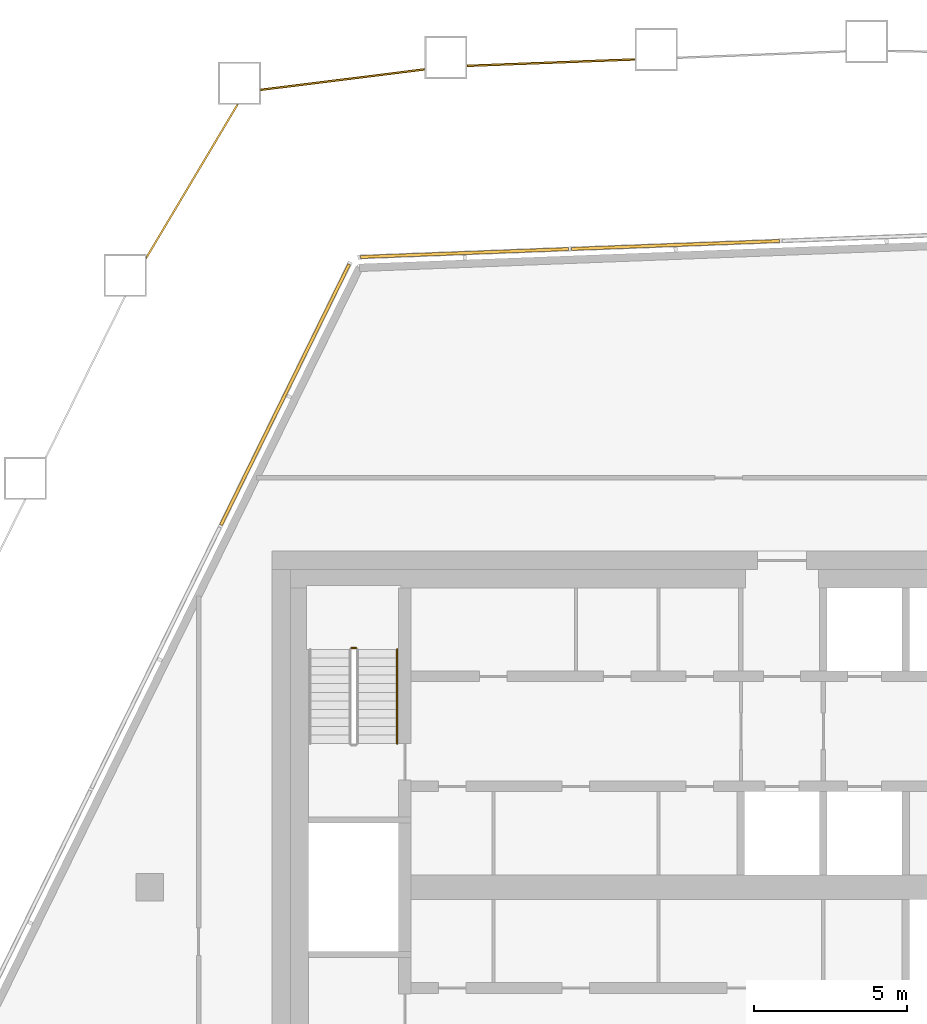
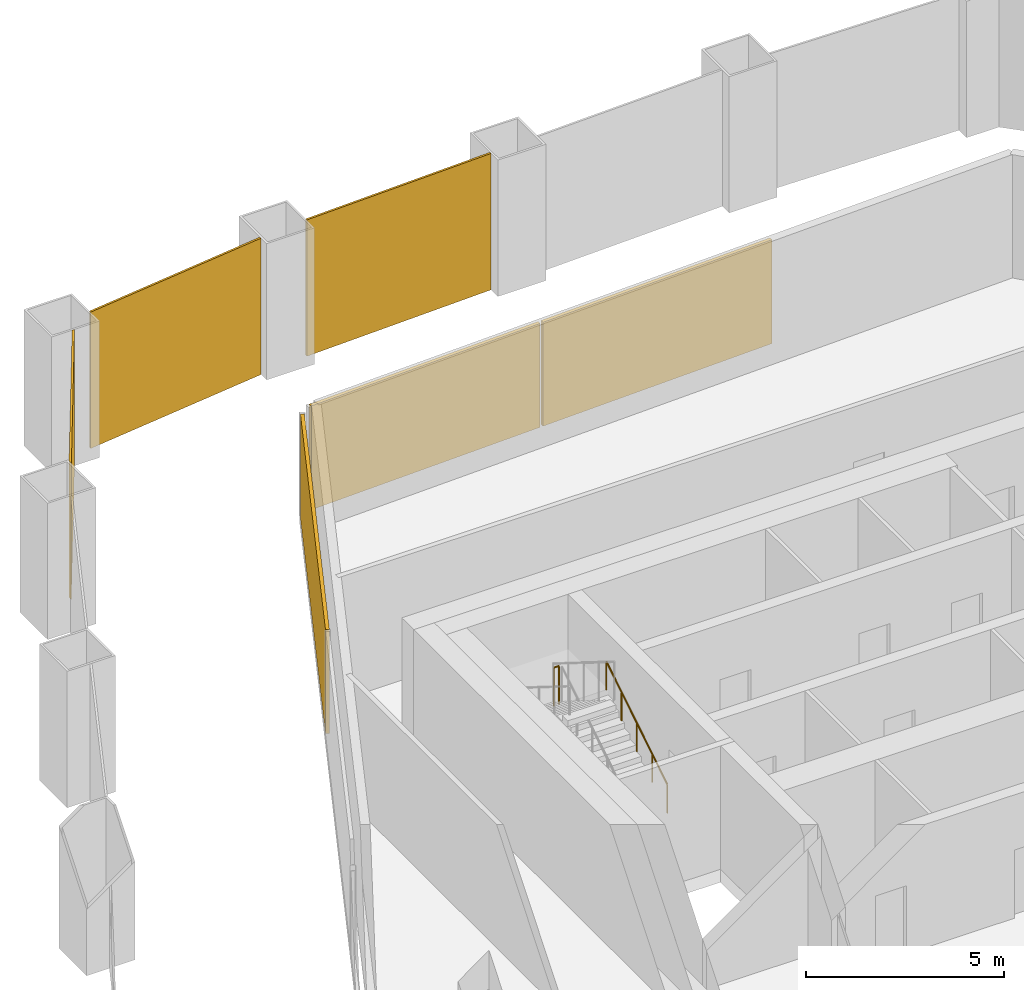
# One storey, part 16 of 18: 6 coverings, 2 railings, 2 elements without a shape of their own.
"""IFC4 building model written with IfcOpenShell, lengths in metres."""

from ifc_helpers import new_model, si_unit, direction, frame, origin, origin_2d, place, context, subcontext, project, spatial, polyline, rectangle, circle, outline, extrude, material, layer, layer_set, type_object, element, aggregate, save


model = new_model("IFC4")

# Units and contexts
model_context = context("Model", 3, precision=1e-05, world=origin(), true_north=direction((0.0, 1.0)))
body_context = subcontext(model_context, "Body", "Model", "MODEL_VIEW")
ifc_project = project(units=[si_unit("LENGTHUNIT", "METRE"), si_unit("AREAUNIT", "SQUARE_METRE"), si_unit("VOLUMEUNIT", "CUBIC_METRE"), si_unit("PLANEANGLEUNIT", "RADIAN"), si_unit("MASSUNIT", "GRAM", prefix="KILO")], contexts=[model_context])

# Site, building, storey
site_placement = place(None, origin())
site = spatial("IfcSite", under=ifc_project, at=site_placement, CompositionType="ELEMENT")
building_placement = place(site_placement, origin())
building = spatial("IfcBuilding", under=site, at=building_placement, Name="Dongbaek Canopy Tower", CompositionType="ELEMENT")
storey_placement = place(building_placement, frame((0.0, 0.0, 367.39990234375)))
storey = spatial("IfcBuildingStorey", under=building, at=storey_placement, Name="L79", CompositionType="ELEMENT", Elevation=367.39990234375)

# Coverings
ifc_material_1 = material(Name="Perforated pale metal")
ifc_layer_1 = layer(ifc_material_1, 0.06005859375)
ifc_layer_set_1 = layer_set([ifc_layer_1], Name="Crown plant screen")
covering_type_1 = type_object("IfcCoveringType", Name="Crown plant screen", PredefinedType="CLADDING", material=ifc_layer_set_1)
covering_1_placement = place(storey_placement, origin())
element("IfcCovering", 1, at=covering_1_placement, inside=storey, type_object=covering_type_1, Name="Crown plant screen 20 L79", PredefinedType="CLADDING", context=body_context, shape_type="SweptSolid", body=[
    extrude(outline(polyline([(-2.117919921875, 27.131103515625), (-2.117919921875, 27.07080078125), (-7.60888671875, 26.860595703125), (-7.60888671875, 26.920654296875), (-2.117919921875, 27.131103515625)])), origin(), (0.0, 0.0, 1.0), 4.2001953125),
])
covering_2_placement = place(storey_placement, origin())
element("IfcCovering", 2, at=covering_2_placement, inside=storey, type_object=covering_type_1, Name="Crown plant screen 21 L79", PredefinedType="CLADDING", context=body_context, shape_type="SweptSolid", body=[
    extrude(outline(polyline([(-9.009033203125, 26.804443359375), (-9.009033203125, 26.744140625), (-14.362060546875, 26.07568359375), (-14.362060546875, 26.13623046875), (-9.009033203125, 26.804443359375)])), origin(), (0.0, 0.0, 1.0), 4.2001953125),
])
covering_3_placement = place(storey_placement, origin())
element("IfcCovering", 3, at=covering_3_placement, inside=storey, type_object=covering_type_1, Name="Crown plant screen 22 L79", PredefinedType="CLADDING", context=body_context, shape_type="SweptSolid", body=[
    extrude(outline(polyline([(-15.16455078125, 25.62109375), (-15.0947265625, 25.62109375), (-18.10595703125, 20.562744140625), (-18.10595703125, 20.679931640625), (-15.16455078125, 25.62109375)])), origin(), (0.0, 0.0, 1.0), 4.2001953125),
])

# Curtain wall, coverings
ifc_material_2 = material(Name="Aluminium 6063-T6 pale anodised", Category="aluminium")
ifc_layer_2 = layer(ifc_material_2, 0.14990234375)
ifc_layer_set_2 = layer_set([ifc_layer_2], Name="CW-7 louvre curtain wall")
curtain_wall_type = type_object("IfcCurtainWallType", Name="CW-7 louvre curtain wall", PredefinedType="NOTDEFINED", material=ifc_layer_set_2)
curtain_wall_1_placement = place(storey_placement, origin())
curtain_wall_1 = element("IfcCurtainWall", 4, at=curtain_wall_1_placement, inside=storey, type_object=curtain_wall_type, Name="CW-7 louvre wall L79 F3", PredefinedType="NOTDEFINED")
ifc_material_3 = material(Name="Aluminium 6063-T6 pale metal louvre blades", Category="aluminium")
ifc_layer_3 = layer(ifc_material_3, 0.10009765625)
ifc_layer_set_3 = layer_set([ifc_layer_3], Name="Louvre LV bank 100 x 3200")
covering_type_2 = type_object("IfcCoveringType", Name="Louvre LV bank 100 x 3200", PredefinedType="CLADDING", material=ifc_layer_set_3)
covering_4_placement = place(storey_placement, frame((-0.791015625, 21.02587890625, 0.30029296875), z_axis=(0.0, 0.0, 1.0), x_axis=(-0.999268890611, -0.038231979514, 0.0)))
covering_4 = element("IfcCovering", 5, at=covering_4_placement, type_object=covering_type_2, Name="Louvre L79 F3.1.2", PredefinedType="CLADDING", context=body_context, shape_type="SweptSolid", body=[
    extrude(rectangle(XDim=6.822265625, YDim=0.10009765625, at=origin_2d()), origin(), (0.0, 0.0, 1.0), 3.199951171875),
])
covering_5_placement = place(storey_placement, frame((-7.6982421875, 20.76171875, 0.30029296875), z_axis=(0.0, 0.0, 1.0), x_axis=(-0.999268890611, -0.038231979514, 0.0)))
covering_5 = element("IfcCovering", 6, at=covering_5_placement, type_object=covering_type_2, Name="Louvre L79 F3.1.3", PredefinedType="CLADDING", context=body_context, shape_type="SweptSolid", body=[
    extrude(rectangle(XDim=6.822265625, YDim=0.10009765625, at=origin_2d()), origin(), (0.0, 0.0, 1.0), 3.199951171875),
])
aggregate(curtain_wall_1, [covering_4, covering_5])

# Curtain wall, covering
curtain_wall_2_placement = place(storey_placement, origin())
curtain_wall_2 = element("IfcCurtainWall", 7, at=curtain_wall_2_placement, inside=storey, type_object=curtain_wall_type, Name="CW-7 louvre wall L79 F4", PredefinedType="NOTDEFINED")
covering_6_placement = place(storey_placement, frame((-13.5712890625, 16.126220703125, 0.30029296875), z_axis=(0.0, 0.0, 1.0), x_axis=(-0.441341619439, -0.897339163834, 0.0)))
covering_6 = element("IfcCovering", 8, at=covering_6_placement, type_object=covering_type_2, Name="Louvre L79 F4.1.1", PredefinedType="CLADDING", context=body_context, shape_type="SweptSolid", body=[
    extrude(rectangle(XDim=9.51171875, YDim=0.10009765625, at=origin_2d()), origin(), (0.0, 0.0, 1.0), 3.199951171875),
])
aggregate(curtain_wall_2, [covering_6])

# Railings
ifc_material_4 = material(Name="Stainless steel tube and balusters", Category="steel")
railing_type_1 = type_object("IfcRailingType", Name="Stair guard 1200", PredefinedType="GUARDRAIL", material=ifc_material_4)
railing_1_placement = place(storey_placement, frame((-11.25, 7.830078125, 2.10009765625)))
element("IfcRailing", 9, at=railing_1_placement, inside=storey, type_object=railing_type_1, Name="L79 ST-C stair guard 2", PredefinedType="GUARDRAIL", context=body_context, shape_type="SweptSolid", body=[
    extrude(circle(Radius=0.02392578125, at=origin_2d()), frame((0.0, 0.0, 1.17578125), z_axis=(-1.0, 0.0, 0.0), x_axis=(0.0, -1.0, 0.0)), (0.0, 0.0, 1.0), 0.14990234375),
    extrude(circle(Radius=0.02099609375, at=origin_2d()), origin(), (0.0, 0.0, 1.0), 1.15185546875),
    extrude(circle(Radius=0.02099609375, at=origin_2d()), frame((-0.14990234375, 0.0, 0.0)), (0.0, 0.0, 1.0), 1.15185546875),
])
ifc_material_5 = material(Name="Stainless steel tube", Category="steel")
railing_type_2 = type_object("IfcRailingType", Name="Stair handrail 900", PredefinedType="HANDRAIL", material=ifc_material_5)
railing_2_placement = place(storey_placement, frame((-9.89990234375, 4.699951171875, 0.175048828125)))
element("IfcRailing", 10, at=railing_2_placement, inside=storey, type_object=railing_type_2, Name="L79 ST-C stair handrail 1", PredefinedType="HANDRAIL", context=body_context, shape_type="SweptSolid", body=[
    extrude(circle(Radius=0.02392578125, at=origin_2d()), frame((0.0, 0.0, 0.8759765625), z_axis=(0.0, 0.847998304005, 0.529998940003), x_axis=(-1.0, 0.0, 0.0)), (0.0, 0.0, 1.0), 3.632080078125),
    extrude(circle(Radius=0.02099609375, at=origin_2d()), origin(), (0.0, 0.0, 1.0), 0.851806640625),
    extrude(circle(Radius=0.02099609375, at=origin_2d()), frame((0.0, 0.77001953125, 0.481201171875)), (0.0, 0.0, 1.0), 0.851806640625),
    extrude(circle(Radius=0.02099609375, at=origin_2d()), frame((0.0, 1.5400390625, 0.96240234375)), (0.0, 0.0, 1.0), 0.851806640625),
    extrude(circle(Radius=0.02099609375, at=origin_2d()), frame((0.0, 2.31005859375, 1.44384765625)), (0.0, 0.0, 1.0), 0.851806640625),
    extrude(circle(Radius=0.02099609375, at=origin_2d()), frame((0.0, 3.080078125, 1.925048828125)), (0.0, 0.0, 1.0), 0.851806640625),
])

save(model, "model.ifc")
